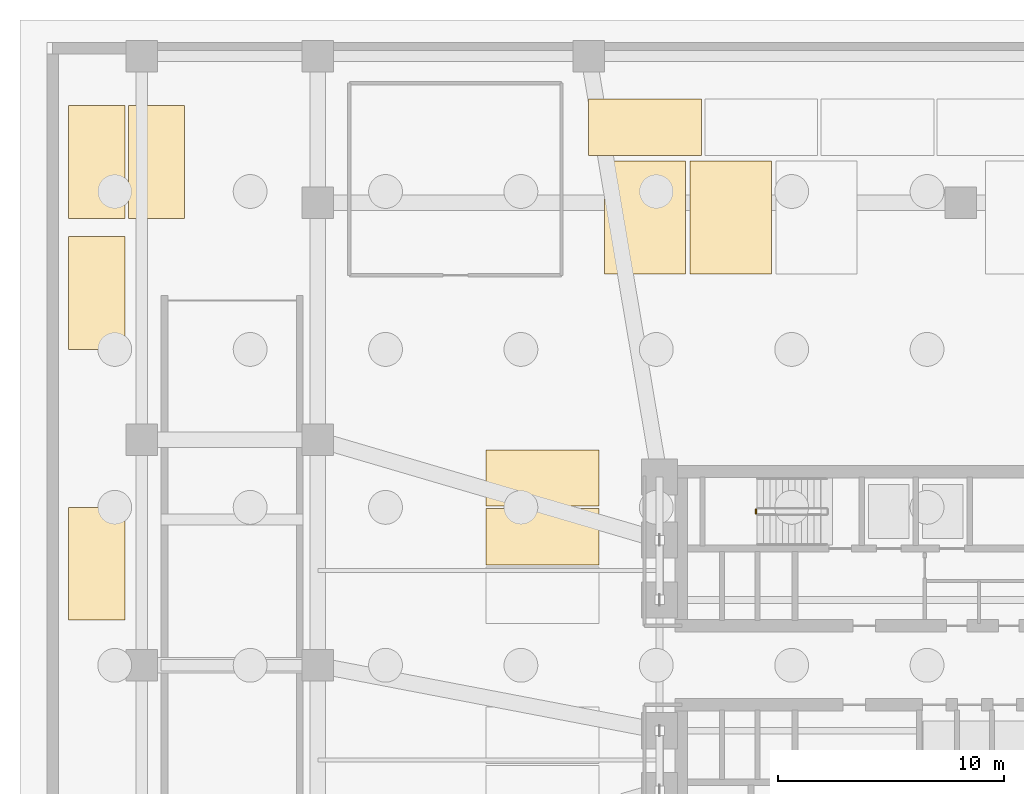
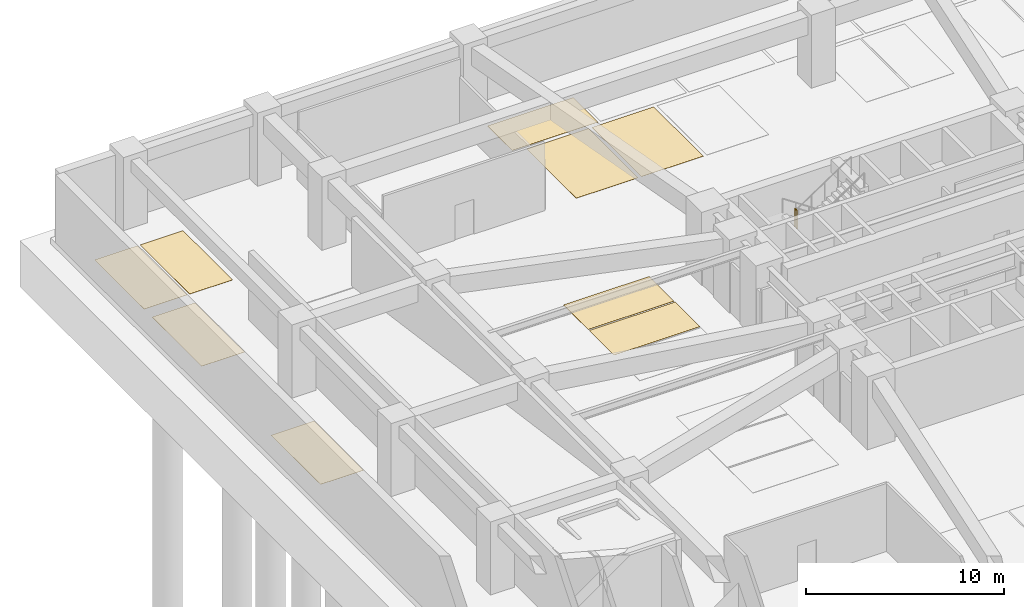
# One storey, part 11 of 14: 9 coverings, 1 railing.
"""IFC4 building model written with IfcOpenShell, lengths in metres."""

from ifc_helpers import new_model, si_unit, direction, frame, origin, origin_2d, place, context, subcontext, project, spatial, polyline, circle, outline, extrude, material, layer, layer_set, type_object, element, save


model = new_model("IFC4")

# Units and contexts
model_context = context("Model", 3, precision=1e-05, world=origin(), true_north=direction((0.0, 1.0)))
body_context = subcontext(model_context, "Body", "Model", "MODEL_VIEW")
ifc_project = project(units=[si_unit("LENGTHUNIT", "METRE"), si_unit("AREAUNIT", "SQUARE_METRE"), si_unit("VOLUMEUNIT", "CUBIC_METRE"), si_unit("PLANEANGLEUNIT", "RADIAN"), si_unit("MASSUNIT", "GRAM", prefix="KILO")], contexts=[model_context])

# Site, building, storey
site_placement = place(None, origin())
site = spatial("IfcSite", under=ifc_project, at=site_placement, CompositionType="ELEMENT")
building_placement = place(site_placement, origin())
building = spatial("IfcBuilding", under=site, at=building_placement, Name="Solmarez Civic Tower", CompositionType="ELEMENT")
storey_placement = place(building_placement, frame((0.0, 0.0, -9.0)))
storey = spatial("IfcBuildingStorey", under=building, at=storey_placement, Name="B2", CompositionType="ELEMENT", Elevation=-9.0)

# Coverings
ifc_material_1 = material(Name="Epoxy Traffic Deck Coating")
ifc_layer = layer(ifc_material_1, 0.010009765625)
ifc_layer_set = layer_set([ifc_layer], Name="Epoxy Traffic Deck Coating")
covering_type = type_object("IfcCoveringType", Name="COV-PARK-BAY", PredefinedType="FLOORING", material=ifc_layer_set)
covering_1_placement = place(storey_placement, origin())
element("IfcCovering", 1, at=covering_1_placement, inside=storey, type_object=covering_type, Name="B2 Accessible Parking Bay Marking A01", PredefinedType="FLOORING", context=body_context, shape_type="SweptSolid", body=[
    extrude(outline(polyline([(-11.300048828125, 17.35009765625), (-7.699951171875, 17.35009765625), (-7.699951171875, 22.35009765625), (-11.300048828125, 22.35009765625), (-11.300048828125, 17.35009765625)])), origin(), (0.0, 0.0, 1.0), 0.010009765625),
])
covering_2_placement = place(storey_placement, origin())
element("IfcCovering", 2, at=covering_2_placement, inside=storey, type_object=covering_type, Name="B2 Accessible Parking Bay Marking A02", PredefinedType="FLOORING", context=body_context, shape_type="SweptSolid", body=[
    extrude(outline(polyline([(-7.5, 17.35009765625), (-3.89990234375, 17.35009765625), (-3.89990234375, 22.35009765625), (-7.5, 22.35009765625), (-7.5, 17.35009765625)])), origin(), (0.0, 0.0, 1.0), 0.010009765625),
])
covering_3_placement = place(storey_placement, origin())
element("IfcCovering", 3, at=covering_3_placement, inside=storey, type_object=covering_type, Name="B2 Parking Bay Marking 014", PredefinedType="FLOORING", context=body_context, shape_type="SweptSolid", body=[
    extrude(outline(polyline([(-12.0, 22.60009765625), (-7.0, 22.60009765625), (-7.0, 25.10009765625), (-12.0, 25.10009765625), (-12.0, 22.60009765625)])), origin(), (0.0, 0.0, 1.0), 0.010009765625),
])
covering_4_placement = place(storey_placement, origin())
element("IfcCovering", 4, at=covering_4_placement, inside=storey, type_object=covering_type, Name="B2 Parking Bay Marking 027", PredefinedType="FLOORING", context=body_context, shape_type="SweptSolid", body=[
    extrude(outline(polyline([(-35.050048828125, 2.0), (-32.550048828125, 2.0), (-32.550048828125, 7.0), (-35.050048828125, 7.0), (-35.050048828125, 2.0)])), origin(), (0.0, 0.0, 1.0), 0.010009765625),
])
covering_5_placement = place(storey_placement, origin())
element("IfcCovering", 5, at=covering_5_placement, inside=storey, type_object=covering_type, Name="B2 Parking Bay Marking 028", PredefinedType="FLOORING", context=body_context, shape_type="SweptSolid", body=[
    extrude(outline(polyline([(-35.050048828125, 14.0), (-32.550048828125, 14.0), (-32.550048828125, 19.0), (-35.050048828125, 19.0), (-35.050048828125, 14.0)])), origin(), (0.0, 0.0, 1.0), 0.010009765625),
])
covering_6_placement = place(storey_placement, origin())
element("IfcCovering", 6, at=covering_6_placement, inside=storey, type_object=covering_type, Name="B2 Parking Bay Marking 029", PredefinedType="FLOORING", context=body_context, shape_type="SweptSolid", body=[
    extrude(outline(polyline([(-35.050048828125, 19.800048828125), (-32.550048828125, 19.800048828125), (-32.550048828125, 24.800048828125), (-35.050048828125, 24.800048828125), (-35.050048828125, 19.800048828125)])), origin(), (0.0, 0.0, 1.0), 0.010009765625),
])
covering_7_placement = place(storey_placement, origin())
element("IfcCovering", 7, at=covering_7_placement, inside=storey, type_object=covering_type, Name="B2 Parking Bay Marking 031", PredefinedType="FLOORING", context=body_context, shape_type="SweptSolid", body=[
    extrude(outline(polyline([(-32.39990234375, 19.800048828125), (-29.89990234375, 19.800048828125), (-29.89990234375, 24.800048828125), (-32.39990234375, 24.800048828125), (-32.39990234375, 19.800048828125)])), origin(), (0.0, 0.0, 1.0), 0.010009765625),
])
covering_8_placement = place(storey_placement, origin())
element("IfcCovering", 8, at=covering_8_placement, inside=storey, type_object=covering_type, Name="B2 Parking Bay Marking 041", PredefinedType="FLOORING", context=body_context, shape_type="SweptSolid", body=[
    extrude(outline(polyline([(-16.550048828125, 4.449951171875), (-11.550048828125, 4.449951171875), (-11.550048828125, 6.949951171875), (-16.550048828125, 6.949951171875), (-16.550048828125, 4.449951171875)])), origin(), (0.0, 0.0, 1.0), 0.010009765625),
])
covering_9_placement = place(storey_placement, origin())
element("IfcCovering", 9, at=covering_9_placement, inside=storey, type_object=covering_type, Name="B2 Parking Bay Marking 042", PredefinedType="FLOORING", context=body_context, shape_type="SweptSolid", body=[
    extrude(outline(polyline([(-16.550048828125, 7.050048828125), (-11.550048828125, 7.050048828125), (-11.550048828125, 9.550048828125), (-16.550048828125, 9.550048828125), (-16.550048828125, 7.050048828125)])), origin(), (0.0, 0.0, 1.0), 0.010009765625),
])

# Railing
ifc_material_2 = material(Name="Painted Steel Stairwell Safety Guard", Category="steel")
railing_type = type_object("IfcRailingType", Name="GUARD-STAIR-1120", PredefinedType="BALUSTRADE", material=ifc_material_2)
railing_placement = place(storey_placement, frame((-4.580078125, 6.919921875, 2.25)))
element("IfcRailing", 10, at=railing_placement, inside=storey, type_object=railing_type, Name="B2 ST-1 stair guard 2", PredefinedType="BALUSTRADE", context=body_context, shape_type="SweptSolid", body=[
    extrude(circle(Radius=0.02392578125, at=origin_2d()), frame((0.0, 0.0, 1.09619140625), z_axis=(0.0, -1.0, 0.0), x_axis=(1.0, 0.0, 0.0)), (0.0, 0.0, 1.0), 0.199951171875),
    extrude(circle(Radius=0.02099609375, at=origin_2d()), origin(), (0.0, 0.0, 1.0), 1.072021484375),
    extrude(circle(Radius=0.02099609375, at=origin_2d()), frame((0.0, -0.199951171875, 0.0)), (0.0, 0.0, 1.0), 1.072021484375),
])

save(model, "model.ifc")
